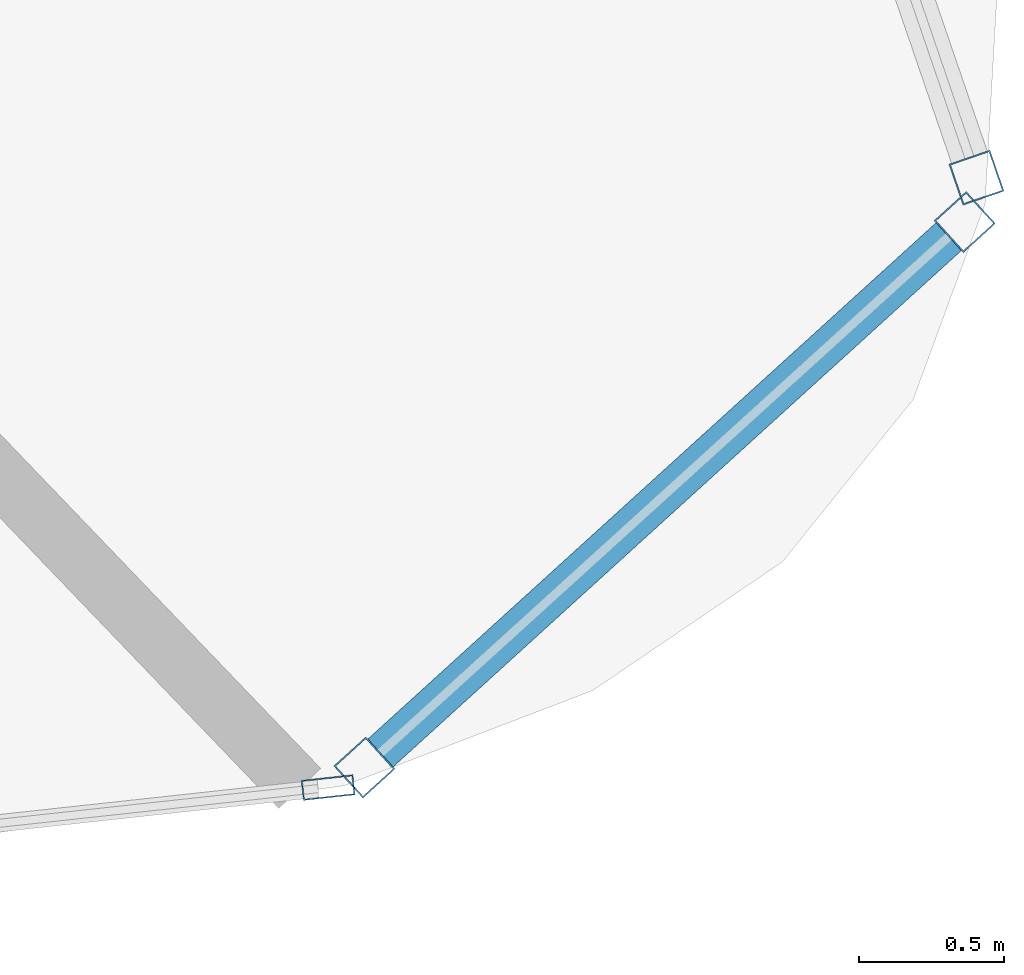
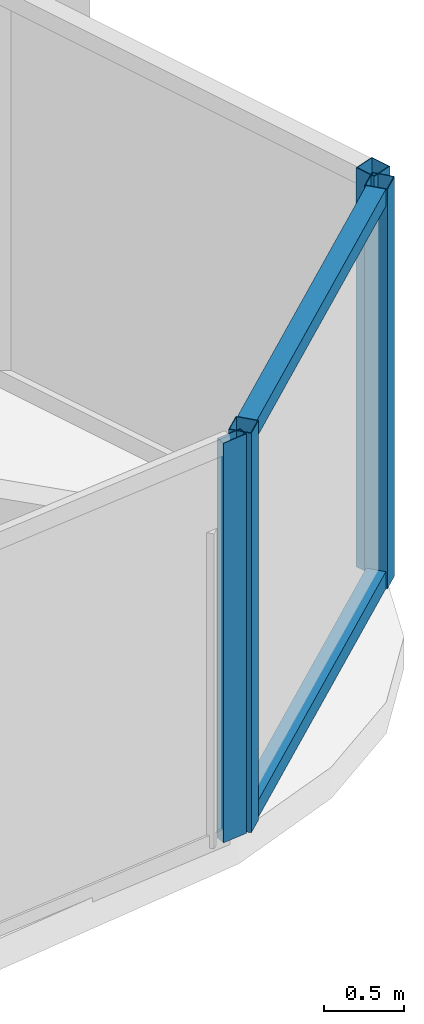
# One storey, part 14 of 34: 6 members, 3 elements without a shape of their own.
"""IFC4 building model written with IfcOpenShell, lengths in metres."""

from ifc_helpers import new_model, si_unit, direction, frame, origin, origin_2d, place, context, subcontext, project, spatial, hollow_rectangle, extrude, material, layer, layer_set, material_profile, profile_set, type_object, element, aggregate, save


model = new_model("IFC4")

# Units and contexts
model_context = context("Model", 3, precision=1e-05, world=origin(), true_north=direction((0.0, 1.0)))
body_context = subcontext(model_context, "Body", "Model", "MODEL_VIEW")
ifc_project = project(units=[si_unit("LENGTHUNIT", "METRE"), si_unit("AREAUNIT", "SQUARE_METRE"), si_unit("VOLUMEUNIT", "CUBIC_METRE"), si_unit("PLANEANGLEUNIT", "RADIAN"), si_unit("MASSUNIT", "GRAM", prefix="KILO")], contexts=[model_context])

# Site, building, storey
site_placement = place(None, origin())
site = spatial("IfcSite", under=ifc_project, at=site_placement, CompositionType="ELEMENT")
building_placement = place(site_placement, origin())
building = spatial("IfcBuilding", under=site, at=building_placement, Name="Orvanel Arch Residences", CompositionType="ELEMENT")
storey_placement = place(building_placement, frame((0.0, 0.0, 77.449951171875)))
storey = spatial("IfcBuildingStorey", under=building, at=storey_placement, Name="L21", CompositionType="ELEMENT", Elevation=77.449951171875)

# Curtain wall, members
ifc_material = material(Name="Bronze-anodised aluminium AA6063-T6", Category="aluminium")
ifc_layer_1 = layer(ifc_material, 0.18994140625)
ifc_layer_set_1 = layer_set([ifc_layer_1], Name="Bronze-anodised aluminium AA6063-T6")
curtain_wall_type_1 = type_object("IfcCurtainWallType", Name="CW5-CRN-SYS", PredefinedType="NOTDEFINED", material=ifc_layer_set_1)
curtain_wall_1_placement = place(storey_placement, origin())
curtain_wall_1 = element("IfcCurtainWall", 1, at=curtain_wall_1_placement, inside=storey, type_object=curtain_wall_type_1, Name="L21 CW5-CRN-SYS Unitised Curtain Wall", PredefinedType="NOTDEFINED")
ifc_material_profile_1 = material_profile(ifc_material, hollow_rectangle(XDim=0.14990234375, YDim=0.14990234375, WallThickness=0.0048828125, at=origin_2d()), Name="ALU150x150x5")
ifc_profile_set_1 = profile_set([ifc_material_profile_1], Name="Bronze-anodised aluminium AA6063-T6")
member_type_1 = type_object("IfcMemberType", Name="MUL-150x150", PredefinedType="MULLION", material=ifc_profile_set_1)
member_1_placement = place(storey_placement, frame((58.46044921875, 4.25146484375, 0.0), z_axis=(0.0, 0.0, 1.0), x_axis=(-0.6724198414, 0.740169951357, 0.0)))
member_1 = element("IfcMember", 2, at=member_1_placement, type_object=member_type_1, Name="CW-S5 mullion 1", PredefinedType="MULLION", context=body_context, shape_type="SweptSolid", body=[
    extrude(hollow_rectangle(XDim=0.14990234375, YDim=0.14990234375, WallThickness=0.0048828125, at=origin_2d()), origin(), (0.0, 0.0, 1.0), 3.06005859375),
])
member_2_placement = place(storey_placement, frame((60.534423828125, 6.135498046875, 0.0), z_axis=(0.0, 0.0, 1.0), x_axis=(-0.6724198414, 0.740169951357, 0.0)))
member_2 = element("IfcMember", 3, at=member_2_placement, type_object=member_type_1, Name="CW-S5 mullion 2", PredefinedType="MULLION", context=body_context, shape_type="SweptSolid", body=[
    extrude(hollow_rectangle(XDim=0.14990234375, YDim=0.14990234375, WallThickness=0.0048828125, at=origin_2d()), origin(), (0.0, 0.0, 1.0), 3.06005859375),
])

# Curtain wall, member
curtain_wall_2_placement = place(storey_placement, origin())
curtain_wall_2 = element("IfcCurtainWall", 4, at=curtain_wall_2_placement, inside=storey, type_object=curtain_wall_type_1, Name="L21 CW5-CRN-SYS Unitised Curtain Wall", PredefinedType="NOTDEFINED")
member_3_placement = place(storey_placement, frame((60.57470703125, 6.2890625, 0.0), z_axis=(0.0, 0.0, 1.0), x_axis=(-0.945912167236, -0.324422828844, 0.0)))
member_3 = element("IfcMember", 5, at=member_3_placement, type_object=member_type_1, Name="CW-S5 mullion 1", PredefinedType="MULLION", context=body_context, shape_type="SweptSolid", body=[
    extrude(hollow_rectangle(XDim=0.14990234375, YDim=0.14990234375, WallThickness=0.0048828125, at=origin_2d()), origin(), (0.0, 0.0, 1.0), 3.06005859375),
])
aggregate(curtain_wall_2, [member_3])

ifc_layer_2 = layer(ifc_material, 0.179931640625)
ifc_layer_set_2 = layer_set([ifc_layer_2], Name="Bronze-anodised aluminium AA6063-T6")
curtain_wall_type_2 = type_object("IfcCurtainWallType", Name="CW2-LOW-SYS", PredefinedType="NOTDEFINED", material=ifc_layer_set_2)
curtain_wall_3_placement = place(storey_placement, origin())
curtain_wall_3 = element("IfcCurtainWall", 6, at=curtain_wall_3_placement, inside=storey, type_object=curtain_wall_type_2, Name="L21 CW2-LOW-SYS Unitised Curtain Wall", PredefinedType="NOTDEFINED")
ifc_material_profile_2 = material_profile(ifc_material, hollow_rectangle(XDim=0.070068359375, YDim=0.179931640625, WallThickness=0.00439453125, at=origin_2d()), Name="ALU180x70x4.5")
ifc_profile_set_2 = profile_set([ifc_material_profile_2], Name="Bronze-anodised aluminium AA6063-T6")
member_type_2 = type_object("IfcMemberType", Name="MUL-180x70", PredefinedType="MULLION", material=ifc_profile_set_2)
member_4_placement = place(storey_placement, frame((58.335205078125, 4.18212890625, 0.0), z_axis=(0.0, 0.0, 1.0), x_axis=(-0.10808278479, 0.994141897131, 0.0)))
member_4 = element("IfcMember", 7, at=member_4_placement, type_object=member_type_2, Name="CW-S2 mullion 4", PredefinedType="MULLION", context=body_context, shape_type="SweptSolid", body=[
    extrude(hollow_rectangle(XDim=0.070068359375, YDim=0.179931640625, WallThickness=0.00439453125, at=origin_2d()), origin(), (0.0, 0.0, 1.0), 3.06005859375),
])
aggregate(curtain_wall_3, [member_4])

# Member
ifc_material_profile_3 = material_profile(ifc_material, hollow_rectangle(XDim=0.1298828125, YDim=0.1298828125, WallThickness=0.00439453125, at=origin_2d()), Name="ALU130x130x4.5")
ifc_profile_set_3 = profile_set([ifc_material_profile_3], Name="Bronze-anodised aluminium AA6063-T6")
member_type_3 = type_object("IfcMemberType", Name="TRN-130x130", PredefinedType="USERDEFINED", material=ifc_profile_set_3)
member_5_placement = place(storey_placement, frame((58.51611328125, 4.3017578125, 0.06494140625), z_axis=(0.740127488315, 0.672466579869, 0.0), x_axis=(-0.672466579869, 0.740127488315, 0.0)))
member_5 = element("IfcMember", 8, at=member_5_placement, type_object=member_type_3, Name="CW-S5 transom 1.1", ObjectType="TRANSOM", PredefinedType="USERDEFINED", context=body_context, shape_type="SweptSolid", body=[
    extrude(hollow_rectangle(XDim=0.1298828125, YDim=0.1298828125, WallThickness=0.00439453125, at=origin_2d()), origin(), (0.0, 0.0, 1.0), 2.652099609375),
])

member_6_placement = place(storey_placement, frame((58.51611328125, 4.3017578125, 2.9951171875), z_axis=(0.740127488315, 0.672466579869, 0.0), x_axis=(-0.672466579869, 0.740127488315, 0.0)))
member_6 = element("IfcMember", 9, at=member_6_placement, type_object=member_type_3, Name="CW-S5 transom 1.2", ObjectType="TRANSOM", PredefinedType="USERDEFINED", context=body_context, shape_type="SweptSolid", body=[
    extrude(hollow_rectangle(XDim=0.1298828125, YDim=0.1298828125, WallThickness=0.00439453125, at=origin_2d()), origin(), (0.0, 0.0, 1.0), 2.652099609375),
])

aggregate(curtain_wall_1, [member_1, member_2, member_5, member_6])

save(model, "model.ifc")
